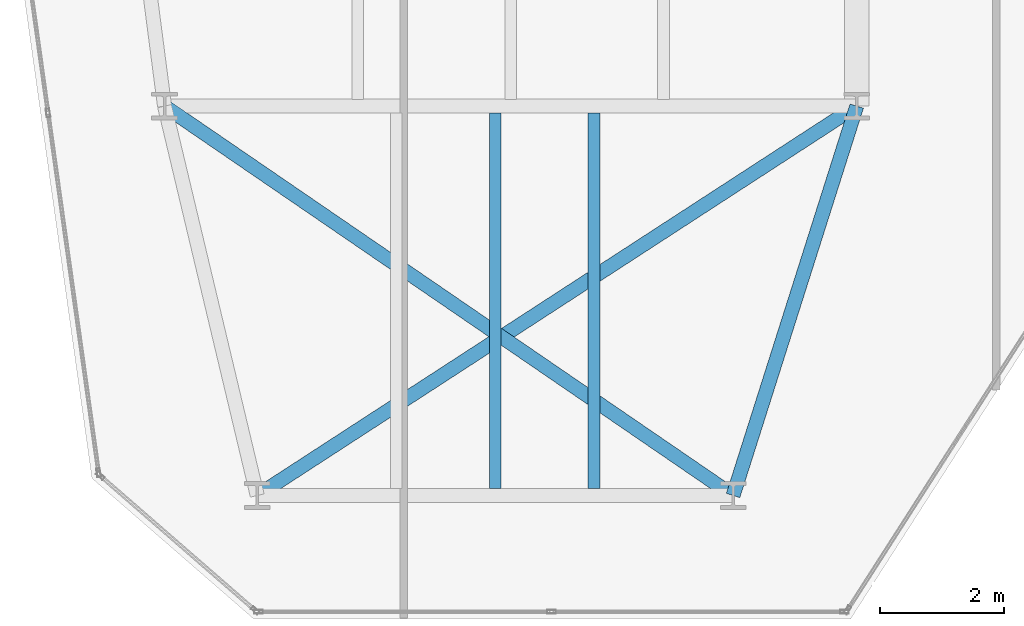
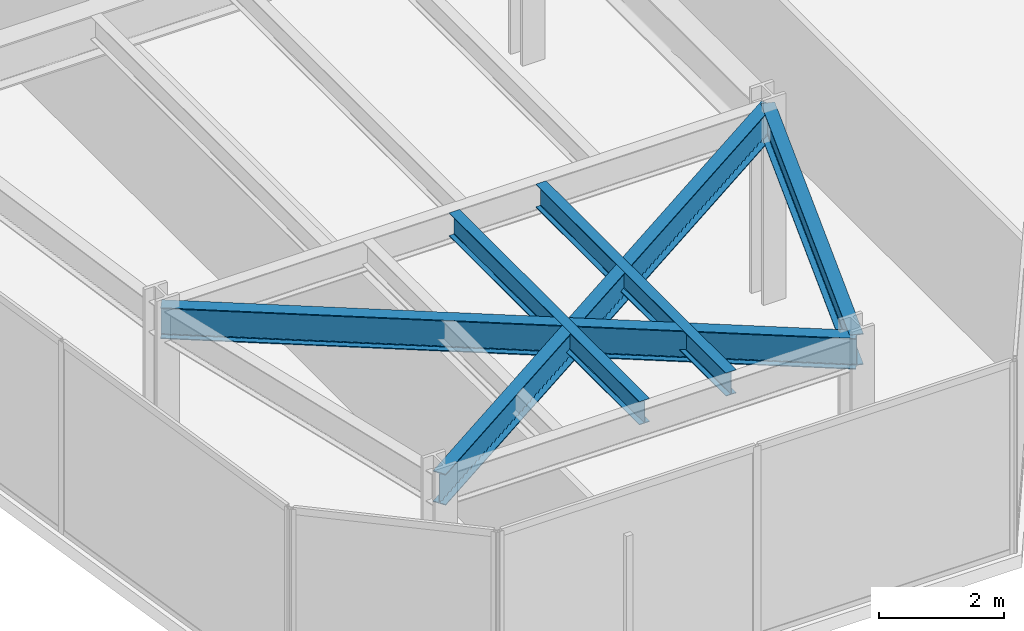
# One storey, part 4 of 26: 5 beams.
"""IFC4 building model written with IfcOpenShell, lengths in metres."""

from ifc_helpers import new_model, si_unit, direction, frame, origin, origin_2d, place, context, subcontext, project, spatial, i_section, extrude, material, material_profile, profile_set, type_object, element, save


model = new_model("IFC4")

# Units and contexts
model_context = context("Model", 3, precision=1e-05, world=origin(), true_north=direction((0.0, 1.0)))
body_context = subcontext(model_context, "Body", "Model", "MODEL_VIEW")
ifc_project = project(units=[si_unit("LENGTHUNIT", "METRE"), si_unit("AREAUNIT", "SQUARE_METRE"), si_unit("VOLUMEUNIT", "CUBIC_METRE"), si_unit("PLANEANGLEUNIT", "RADIAN"), si_unit("MASSUNIT", "GRAM", prefix="KILO")], contexts=[model_context])

# Site, building, storey
site_placement = place(None, origin())
site = spatial("IfcSite", under=ifc_project, at=site_placement, CompositionType="ELEMENT")
building_placement = place(site_placement, origin())
building = spatial("IfcBuilding", under=site, at=building_placement, Name="Kravanh Interchange Tower", CompositionType="ELEMENT")
storey_placement = place(building_placement, frame((0.0, 0.0, 132.0)))
storey = spatial("IfcBuildingStorey", under=building, at=storey_placement, Name="L31", CompositionType="ELEMENT", Elevation=132.0)

# Beams
ifc_material_1 = material(Name="Structural Steel S355", Category="steel")
ifc_material_profile_1 = material_profile(ifc_material_1, i_section(OverallWidth=0.18994140625, OverallDepth=0.45703125, WebThickness=0.009033203125, FlangeThickness=0.014404296875, FilletRadius=0.01806640625, at=origin_2d()), Name="W18X50")
ifc_profile_set_1 = profile_set([ifc_material_profile_1], Name="Structural Steel S355")
beam_type_1 = type_object("IfcBeamType", Name="Floor Joist W18X50 Structural Steel S355", PredefinedType="JOIST", material=ifc_profile_set_1)
for number, where, z_axis, x_axis, name in (
    (1, (21.35009765625, 8.30908203125, 3.521484375), (0.0, 1.0, 0.0), (-1.0, 0.0, 0.0), "L31 Secondary Floor Joist 2"),
    (2, (22.949951171875, 8.30908203125, 3.521484375), (0.0, 1.0, 0.0), (-1.0, 0.0, 0.0), "L31 Secondary Floor Joist 3"),
):
    element("IfcBeam", number, at=place(storey_placement, frame(where, z_axis=z_axis, x_axis=x_axis)), inside=storey, type_object=beam_type_1, Name=name, PredefinedType="JOIST", context=body_context, shape_type="SweptSolid", body=[
        extrude(i_section(OverallWidth=0.18994140625, OverallDepth=0.45703125, WebThickness=0.009033203125, FlangeThickness=0.014404296875, FilletRadius=0.01806640625, at=origin_2d()), origin(), (0.0, 0.0, 1.0), 6.08203125),
    ])
ifc_material_2 = material(Name="Structural Steel S355", Category="steel")
ifc_material_profile_2 = material_profile(ifc_material_2, i_section(OverallWidth=0.22802734375, OverallDepth=0.60791015625, WebThickness=0.01123046875, FlangeThickness=0.017333984375, FilletRadius=0.02197265625, at=origin_2d()), Name="W24X76")
ifc_profile_set_2 = profile_set([ifc_material_profile_2], Name="Structural Steel S355")
beam_type_2 = type_object("IfcBeamType", Name="Floor Spandrel W24X76 Structural Steel S355", PredefinedType="SPANDREL", material=ifc_profile_set_2)
beam_1_placement = place(storey_placement, frame((17.5, 8.199951171875, 3.446044921875), z_axis=(0.838637911458, 0.544689318295, 0.0), x_axis=(-0.544689318295, 0.838637911458, 0.0)))
element("IfcBeam", 3, at=beam_1_placement, inside=storey, type_object=beam_type_2, Name="L31 Perimeter Spandrel 36", PredefinedType="SPANDREL", context=body_context, shape_type="SweptSolid", body=[
    extrude(i_section(OverallWidth=0.22802734375, OverallDepth=0.60791015625, WebThickness=0.01123046875, FlangeThickness=0.017333984375, FilletRadius=0.02197265625, at=origin_2d()), origin(), (0.0, 0.0, 1.0), 11.56640625),
])
beam_2_placement = place(storey_placement, frame((25.199951171875, 8.199951171875, 3.446044921875), z_axis=(0.30257700201, 0.953124943465, 0.0), x_axis=(-0.953124943465, 0.30257700201, 0.0)))
element("IfcBeam", 4, at=beam_2_placement, inside=storey, type_object=beam_type_2, Name="L31 Perimeter Spandrel 76", PredefinedType="SPANDREL", context=body_context, shape_type="SweptSolid", body=[
    extrude(i_section(OverallWidth=0.22802734375, OverallDepth=0.60791015625, WebThickness=0.01123046875, FlangeThickness=0.017333984375, FilletRadius=0.02197265625, at=origin_2d()), origin(), (0.0, 0.0, 1.0), 6.60986328125),
])
beam_3_placement = place(storey_placement, frame((25.199951171875, 8.199951171875, 3.446044921875), z_axis=(-0.825083781107, 0.565010401811, 0.0), x_axis=(-0.565010401811, -0.825083781107, 0.0)))
element("IfcBeam", 5, at=beam_3_placement, inside=storey, type_object=beam_type_2, Name="L31 Perimeter Spandrel 77", PredefinedType="SPANDREL", context=body_context, shape_type="SweptSolid", body=[
    extrude(i_section(OverallWidth=0.22802734375, OverallDepth=0.60791015625, WebThickness=0.01123046875, FlangeThickness=0.017333984375, FilletRadius=0.02197265625, at=origin_2d()), origin(), (0.0, 0.0, 1.0), 11.150390625),
])

save(model, "model.ifc")
